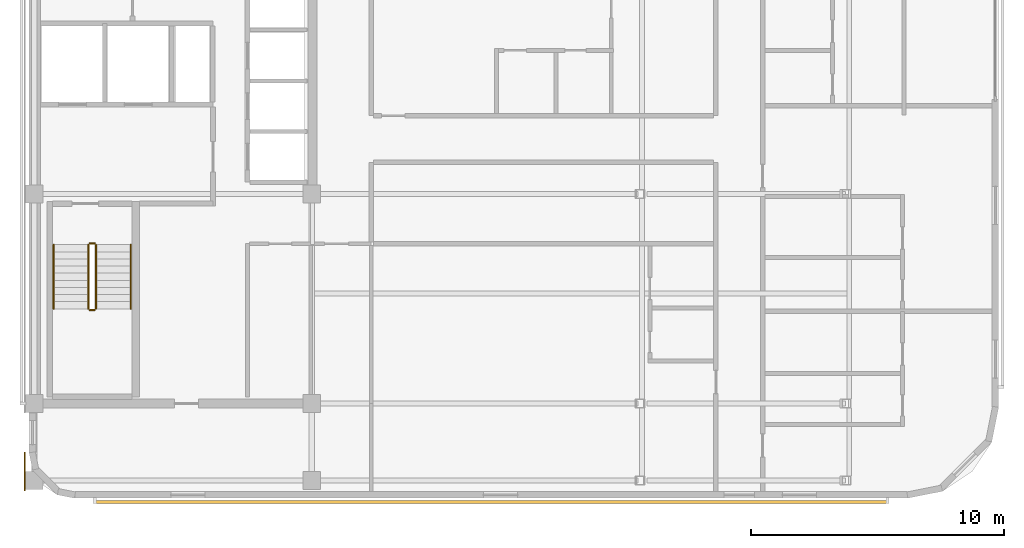
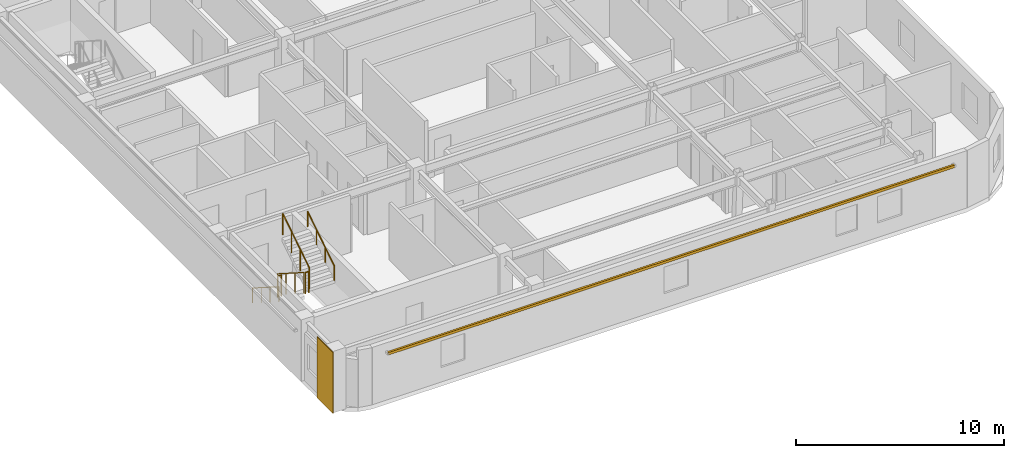
# One storey, part 8 of 10: 6 railings, 1 covering, 1 shading device.
"""IFC4 building model written with IfcOpenShell, lengths in metres."""

from ifc_helpers import new_model, si_unit, direction, frame, origin, origin_2d, place, context, subcontext, project, spatial, rectangle, circle, extrude, material, layer, layer_set, material_profile, profile_set, type_object, element, save


model = new_model("IFC4")

# Units and contexts
model_context = context("Model", 3, precision=1e-05, world=origin(), true_north=direction((0.0, 1.0)))
body_context = subcontext(model_context, "Body", "Model", "MODEL_VIEW")
ifc_project = project(units=[si_unit("LENGTHUNIT", "METRE"), si_unit("AREAUNIT", "SQUARE_METRE"), si_unit("VOLUMEUNIT", "CUBIC_METRE"), si_unit("PLANEANGLEUNIT", "RADIAN"), si_unit("MASSUNIT", "GRAM", prefix="KILO")], contexts=[model_context])

# Site, building, storey
site_placement = place(None, origin())
site = spatial("IfcSite", under=ifc_project, at=site_placement, CompositionType="ELEMENT")
building_placement = place(site_placement, origin())
building = spatial("IfcBuilding", under=site, at=building_placement, Name="Ochreholt Gables", CompositionType="ELEMENT")
storey_placement = place(building_placement, frame((0.0, 0.0, 235.199951171875)))
storey = spatial("IfcBuildingStorey", under=building, at=storey_placement, Name="L61", CompositionType="ELEMENT", Elevation=235.199951171875)

# Covering
ifc_material_1 = material(Name="Glazed Ochre Terracotta Rainscreen Cladding", Category="masonry")
ifc_layer = layer(ifc_material_1, 0.044921875, Name="Glazed Ochre Terracotta Rainscreen Cladding")
ifc_layer_set = layer_set([ifc_layer], Name="Glazed Ochre Terracotta Rainscreen Cladding")
covering_type = type_object("IfcCoveringType", Name="COV-CLAD-TC", PredefinedType="CLADDING", material=ifc_layer_set)
covering_placement = place(storey_placement, frame((23.827880859375, 6.56005859375, 0.010009765625), z_axis=(0.0, 0.0, 1.0), x_axis=(0.0, 1.0, 0.0)))
element("IfcCovering", 1, at=covering_placement, inside=storey, type_object=covering_type, Name="L61 South-West Pier Terracotta Cladding", PredefinedType="CLADDING", context=body_context, shape_type="SweptSolid", body=[
    extrude(rectangle(XDim=1.52001953125, YDim=0.044921875, at=origin_2d()), origin(), (0.0, 0.0, 1.0), 3.580078125),
])

# Railings
ifc_material_2 = material(Name="Painted Steel Stair Guardrail", Category="steel")
railing_type_1 = type_object("IfcRailingType", Name="RL-ST-GUARD", PredefinedType="GUARDRAIL", material=ifc_material_2)
railing_1_placement = place(storey_placement, frame((26.35009765625, 15.5400390625, 0.179931640625)))
element("IfcRailing", 2, at=railing_1_placement, inside=storey, type_object=railing_type_1, Name="L61 ST-1 stair guard 1", PredefinedType="GUARDRAIL", context=body_context, shape_type="SweptSolid", body=[
    extrude(circle(Radius=0.02392578125, at=origin_2d()), frame((0.0, 0.0, 1.22607421875), z_axis=(0.0, -0.842912820907, 0.538050161556), x_axis=(1.0, 0.0, 0.0)), (0.0, 0.0, 1.0), 3.010986328125),
    extrude(circle(Radius=0.02099609375, at=origin_2d()), origin(), (0.0, 0.0, 1.0), 1.201904296875),
    extrude(circle(Radius=0.02099609375, at=origin_2d()), frame((0.0, -0.845947265625, 0.5400390625)), (0.0, 0.0, 1.0), 1.201904296875),
    extrude(circle(Radius=0.02099609375, at=origin_2d()), frame((0.0, -1.692138671875, 1.080078125)), (0.0, 0.0, 1.0), 1.201904296875),
    extrude(circle(Radius=0.02099609375, at=origin_2d()), frame((0.0, -2.5380859375, 1.6201171875)), (0.0, 0.0, 1.0), 1.201904296875),
])
railing_2_placement = place(storey_placement, frame((26.39990234375, 12.951904296875, 1.800048828125)))
element("IfcRailing", 3, at=railing_2_placement, inside=storey, type_object=railing_type_1, Name="L61 ST-1 stair guard 2", PredefinedType="GUARDRAIL", context=body_context, shape_type="SweptSolid", body=[
    extrude(circle(Radius=0.02392578125, at=origin_2d()), frame((0.0, 0.0, 1.22607421875), z_axis=(1.0, 0.0, 0.0), x_axis=(0.0, 1.0, 0.0)), (0.0, 0.0, 1.0), 0.2001953125),
    extrude(circle(Radius=0.02099609375, at=origin_2d()), origin(), (0.0, 0.0, 1.0), 1.201904296875),
    extrude(circle(Radius=0.02099609375, at=origin_2d()), frame((0.2001953125, 0.0, 0.0)), (0.0, 0.0, 1.0), 1.201904296875),
])
railing_3_placement = place(storey_placement, frame((26.64990234375, 13.001953125, 1.97998046875)))
element("IfcRailing", 4, at=railing_3_placement, inside=storey, type_object=railing_type_1, Name="L61 ST-1 stair guard 3", PredefinedType="GUARDRAIL", context=body_context, shape_type="SweptSolid", body=[
    extrude(circle(Radius=0.02392578125, at=origin_2d()), frame((0.0, 0.0, 1.22607421875), z_axis=(0.0, 0.842912820907, 0.538050161556), x_axis=(-1.0, 0.0, 0.0)), (0.0, 0.0, 1.0), 3.010986328125),
    extrude(circle(Radius=0.02099609375, at=origin_2d()), origin(), (0.0, 0.0, 1.0), 1.201904296875),
    extrude(circle(Radius=0.02099609375, at=origin_2d()), frame((0.0, 0.845947265625, 0.5400390625)), (0.0, 0.0, 1.0), 1.201904296875),
    extrude(circle(Radius=0.02099609375, at=origin_2d()), frame((0.0, 1.692138671875, 1.080078125)), (0.0, 0.0, 1.0), 1.201904296875),
    extrude(circle(Radius=0.02099609375, at=origin_2d()), frame((0.0, 2.5380859375, 1.6201171875)), (0.0, 0.0, 1.0), 1.201904296875),
])
railing_4_placement = place(storey_placement, frame((26.39990234375, 15.590087890625, 0.0)))
element("IfcRailing", 5, at=railing_4_placement, inside=storey, type_object=railing_type_1, Name="L61 ST-1 stair guard 4", PredefinedType="GUARDRAIL", context=body_context, shape_type="SweptSolid", body=[
    extrude(circle(Radius=0.02392578125, at=origin_2d()), frame((0.0, 0.0, 1.22607421875), z_axis=(1.0, 0.0, 0.0), x_axis=(0.0, 1.0, 0.0)), (0.0, 0.0, 1.0), 0.2001953125),
    extrude(circle(Radius=0.02099609375, at=origin_2d()), origin(), (0.0, 0.0, 1.0), 1.201904296875),
    extrude(circle(Radius=0.02099609375, at=origin_2d()), frame((0.2001953125, 0.0, 0.0)), (0.0, 0.0, 1.0), 1.201904296875),
])
ifc_material_3 = material(Name="Brushed Stainless Steel Wall Handrail", Category="steel")
railing_type_2 = type_object("IfcRailingType", Name="RL-ST-HAND", PredefinedType="HANDRAIL", material=ifc_material_3)
railing_5_placement = place(storey_placement, frame((24.969970703125, 15.5400390625, 0.179931640625)))
element("IfcRailing", 6, at=railing_5_placement, inside=storey, type_object=railing_type_2, Name="L61 ST-1 stair handrail 1", PredefinedType="HANDRAIL", context=body_context, shape_type="SweptSolid", body=[
    extrude(circle(Radius=0.02392578125, at=origin_2d()), frame((0.0, 0.0, 0.8759765625), z_axis=(0.0, -0.842912820907, 0.538050161556), x_axis=(1.0, 0.0, 0.0)), (0.0, 0.0, 1.0), 3.010986328125),
    extrude(circle(Radius=0.02099609375, at=origin_2d()), origin(), (0.0, 0.0, 1.0), 0.851806640625),
    extrude(circle(Radius=0.02099609375, at=origin_2d()), frame((0.0, -0.845947265625, 0.5400390625)), (0.0, 0.0, 1.0), 0.851806640625),
    extrude(circle(Radius=0.02099609375, at=origin_2d()), frame((0.0, -1.692138671875, 1.080078125)), (0.0, 0.0, 1.0), 0.851806640625),
    extrude(circle(Radius=0.02099609375, at=origin_2d()), frame((0.0, -2.5380859375, 1.6201171875)), (0.0, 0.0, 1.0), 0.851806640625),
])
railing_6_placement = place(storey_placement, frame((28.030029296875, 13.001953125, 1.97998046875)))
element("IfcRailing", 7, at=railing_6_placement, inside=storey, type_object=railing_type_2, Name="L61 ST-1 stair handrail 2", PredefinedType="HANDRAIL", context=body_context, shape_type="SweptSolid", body=[
    extrude(circle(Radius=0.02392578125, at=origin_2d()), frame((0.0, 0.0, 0.8759765625), z_axis=(0.0, 0.842912820907, 0.538050161556), x_axis=(-1.0, 0.0, 0.0)), (0.0, 0.0, 1.0), 3.010986328125),
    extrude(circle(Radius=0.02099609375, at=origin_2d()), origin(), (0.0, 0.0, 1.0), 0.851806640625),
    extrude(circle(Radius=0.02099609375, at=origin_2d()), frame((0.0, 0.845947265625, 0.5400390625)), (0.0, 0.0, 1.0), 0.851806640625),
    extrude(circle(Radius=0.02099609375, at=origin_2d()), frame((0.0, 1.692138671875, 1.080078125)), (0.0, 0.0, 1.0), 0.851806640625),
    extrude(circle(Radius=0.02099609375, at=origin_2d()), frame((0.0, 2.5380859375, 1.6201171875)), (0.0, 0.0, 1.0), 0.851806640625),
])

# Shading device
ifc_material_4 = material(Name="Warm Ochre Glazed Terracotta Baguette", Category="masonry")
ifc_material_profile = material_profile(ifc_material_4, rectangle(XDim=0.110107421875, YDim=0.14990234375, at=origin_2d()), Name="TCBAG110X150")
ifc_profile_set = profile_set([ifc_material_profile], Name="Warm Ochre Glazed Terracotta Baguette")
shading_device_type = type_object("IfcShadingDeviceType", Name="SHD-BAGUETTE", PredefinedType="USERDEFINED", material=ifc_profile_set)
shading_device_placement = place(storey_placement, frame((26.60009765625, 5.35009765625, 2.840087890625), z_axis=(1.0, 0.0, 0.0), x_axis=(0.0, 1.0, 0.0)))
element("IfcShadingDevice", 8, at=shading_device_placement, inside=storey, type_object=shading_device_type, Name="L61 Terracotta Baguette Screen S-1", ObjectType="BAGUETTE", PredefinedType="USERDEFINED", context=body_context, shape_type="SweptSolid", body=[
    extrude(rectangle(XDim=0.110107421875, YDim=0.14990234375, at=origin_2d()), origin(), (0.0, 0.0, 1.0), 31.39990234375),
])

save(model, "model.ifc")
